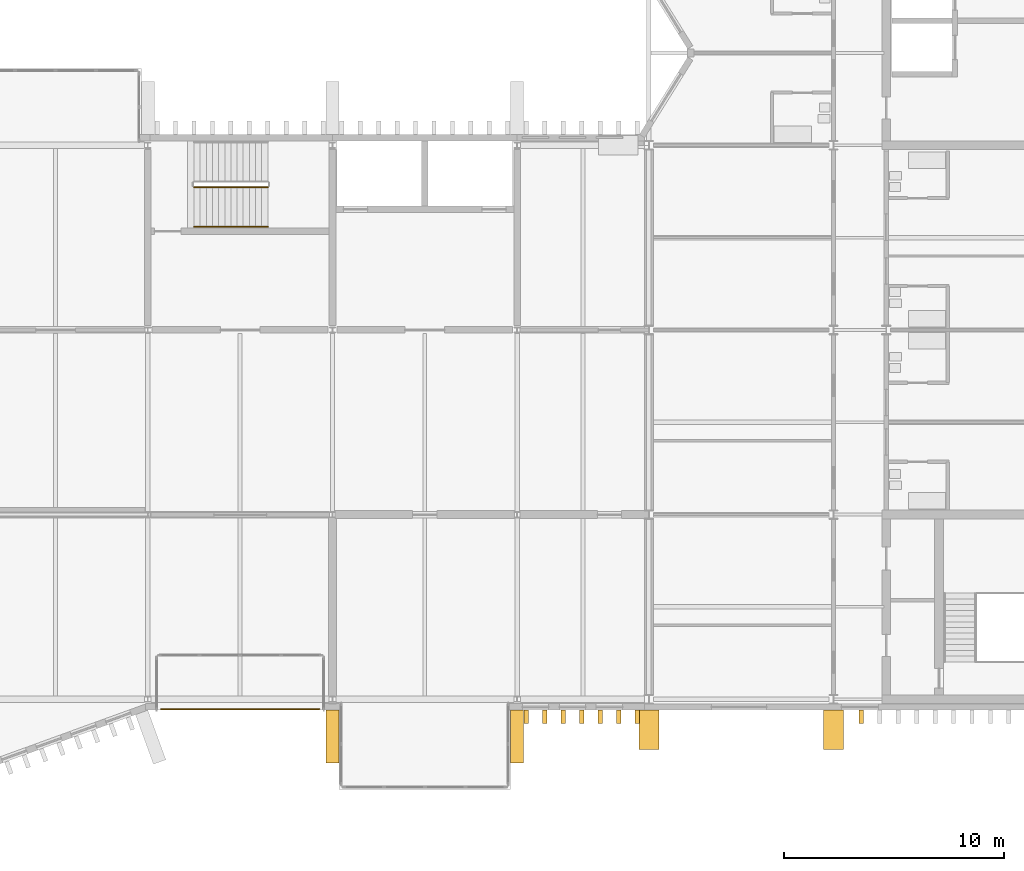
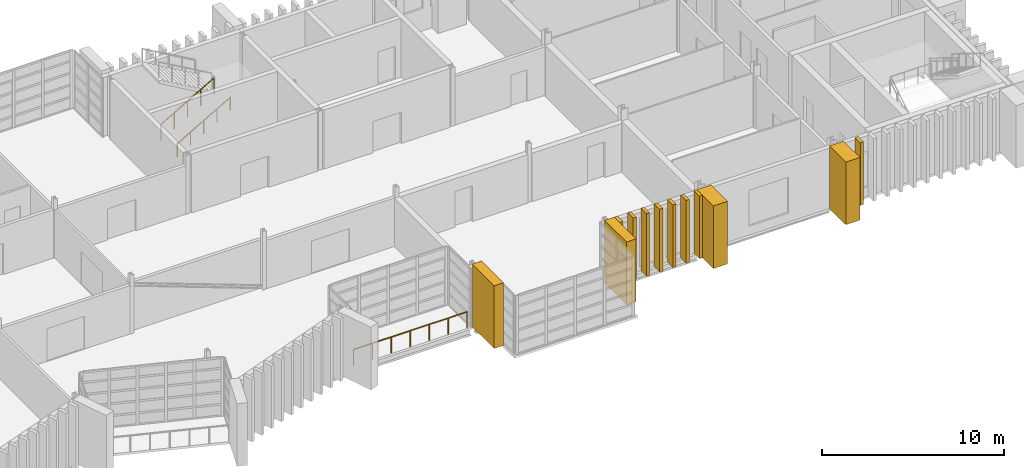
# One storey, part 85 of 88: 12 coverings, 3 railings.
"""IFC4 building model written with IfcOpenShell, lengths in metres."""

from ifc_helpers import new_model, si_unit, direction, frame, origin, origin_2d, place, context, subcontext, project, spatial, rectangle, circle, extrude, material, type_object, element, save


model = new_model("IFC4")

# Units and contexts
model_context = context("Model", 3, precision=1e-05, world=origin(), true_north=direction((0.0, 1.0)))
body_context = subcontext(model_context, "Body", "Model", "MODEL_VIEW")
ifc_project = project(units=[si_unit("LENGTHUNIT", "METRE"), si_unit("AREAUNIT", "SQUARE_METRE"), si_unit("VOLUMEUNIT", "CUBIC_METRE"), si_unit("PLANEANGLEUNIT", "RADIAN"), si_unit("MASSUNIT", "GRAM", prefix="KILO")], contexts=[model_context])

# Site, building, storey
site_placement = place(None, origin())
site = spatial("IfcSite", under=ifc_project, at=site_placement, CompositionType="ELEMENT")
building_placement = place(site_placement, origin())
building = spatial("IfcBuilding", under=site, at=building_placement, Name="Cresset Court Congress Hotel", CompositionType="ELEMENT")
storey_placement = place(building_placement, frame((0.0, 0.0, 14.39990234375)))
storey = spatial("IfcBuildingStorey", under=building, at=storey_placement, Name="L03", CompositionType="ELEMENT", Elevation=14.39990234375)

# Railings
ifc_material_1 = material(Name="Steel and laminated glass", Category="steel")
railing_type_1 = type_object("IfcRailingType", Name="Guard 1100 steel and glass", PredefinedType="GUARDRAIL", material=ifc_material_1)
railing_1_placement = place(storey_placement, frame((136.5, 23.300048828125, 0.16162109375)))
element("IfcRailing", 1, at=railing_1_placement, inside=storey, type_object=railing_type_1, Name="L03 ST-B5 stair guard 1", PredefinedType="GUARDRAIL", context=body_context, shape_type="SweptSolid", body=[
    extrude(circle(Radius=0.02392578125, at=origin_2d()), frame((0.0, 0.0, 1.076171875), z_axis=(0.866190824863, 0.0, 0.499713372768), x_axis=(0.0, 1.0, 0.0)), (0.0, 0.0, 1.0), 3.879150390625),
    extrude(circle(Radius=0.02099609375, at=origin_2d()), origin(), (0.0, 0.0, 1.0), 1.052001953125),
    extrude(circle(Radius=0.02099609375, at=origin_2d()), frame((0.840087890625, 0.0, 0.484619140625)), (0.0, 0.0, 1.0), 1.052001953125),
    extrude(circle(Radius=0.02099609375, at=origin_2d()), frame((1.68017578125, 0.0, 0.96923828125)), (0.0, 0.0, 1.0), 1.052001953125),
    extrude(circle(Radius=0.02099609375, at=origin_2d()), frame((2.52001953125, 0.0, 1.453857421875)), (0.0, 0.0, 1.0), 1.052001953125),
    extrude(circle(Radius=0.02099609375, at=origin_2d()), frame((3.360107421875, 0.0, 1.9384765625)), (0.0, 0.0, 1.0), 1.052001953125),
])
ifc_material_2 = material(Name="Steel and laminated glass", Category="steel")
railing_type_2 = type_object("IfcRailingType", Name="Guard 1100 steel and glass external", PredefinedType="GUARDRAIL", material=ifc_material_2)
railing_2_placement = place(storey_placement, frame((135.0, -0.449951171875, 0.0)))
element("IfcRailing", 2, at=railing_2_placement, inside=storey, type_object=railing_type_2, Name="Guard to recess S0320", PredefinedType="GUARDRAIL", context=body_context, shape_type="SweptSolid", body=[
    extrude(circle(Radius=0.02392578125, at=origin_2d()), frame((0.0, 0.0, 1.076171875), z_axis=(1.0, 0.0, 0.0), x_axis=(0.0, 1.0, 0.0)), (0.0, 0.0, 1.0), 7.199951171875),
    extrude(circle(Radius=0.02099609375, at=origin_2d()), origin(), (0.0, 0.0, 1.0), 1.052001953125),
    extrude(circle(Radius=0.02099609375, at=origin_2d()), frame((1.199951171875, 0.0, 0.0)), (0.0, 0.0, 1.0), 1.052001953125),
    extrude(circle(Radius=0.02099609375, at=origin_2d()), frame((2.39990234375, 0.0, 0.0)), (0.0, 0.0, 1.0), 1.052001953125),
    extrude(circle(Radius=0.02099609375, at=origin_2d()), frame((3.60009765625, 0.0, 0.0)), (0.0, 0.0, 1.0), 1.052001953125),
    extrude(circle(Radius=0.02099609375, at=origin_2d()), frame((4.800048828125, 0.0, 0.0)), (0.0, 0.0, 1.0), 1.052001953125),
    extrude(circle(Radius=0.02099609375, at=origin_2d()), frame((6.0, 0.0, 0.0)), (0.0, 0.0, 1.0), 1.052001953125),
    extrude(circle(Radius=0.02099609375, at=origin_2d()), frame((7.199951171875, 0.0, 0.0)), (0.0, 0.0, 1.0), 1.052001953125),
])
ifc_material_3 = material(Name="Stainless steel", Category="steel")
railing_type_3 = type_object("IfcRailingType", Name="Handrail 48 stainless", PredefinedType="HANDRAIL", material=ifc_material_3)
railing_3_placement = place(storey_placement, frame((136.5, 21.5, 0.16162109375)))
element("IfcRailing", 3, at=railing_3_placement, inside=storey, type_object=railing_type_3, Name="L03 ST-B5 stair handrail 1", PredefinedType="HANDRAIL", context=body_context, shape_type="SweptSolid", body=[
    extrude(circle(Radius=0.02392578125, at=origin_2d()), frame((0.0, 0.0, 0.8759765625), z_axis=(0.866190824863, 0.0, 0.499713372768), x_axis=(0.0, 1.0, 0.0)), (0.0, 0.0, 1.0), 3.879150390625),
    extrude(circle(Radius=0.02099609375, at=origin_2d()), origin(), (0.0, 0.0, 1.0), 0.851806640625),
    extrude(circle(Radius=0.02099609375, at=origin_2d()), frame((0.840087890625, 0.0, 0.484619140625)), (0.0, 0.0, 1.0), 0.851806640625),
    extrude(circle(Radius=0.02099609375, at=origin_2d()), frame((1.68017578125, 0.0, 0.96923828125)), (0.0, 0.0, 1.0), 0.851806640625),
    extrude(circle(Radius=0.02099609375, at=origin_2d()), frame((2.52001953125, 0.0, 1.453857421875)), (0.0, 0.0, 1.0), 0.851806640625),
    extrude(circle(Radius=0.02099609375, at=origin_2d()), frame((3.360107421875, 0.0, 1.9384765625)), (0.0, 0.0, 1.0), 0.851806640625),
])

# Coverings
ifc_material_4 = material(Name="Precast concrete C50", Category="concrete")
covering_type_1 = type_object("IfcCoveringType", Name="Precast stone fin 200x600", PredefinedType="CLADDING", material=ifc_material_4)
covering_placement = place(storey_placement, frame((166.860107421875, -0.800048828125, 0.0), z_axis=(0.0, 0.0, 1.0), x_axis=(1.0, 0.0, 0.0)))
element("IfcCovering", 4, at=covering_placement, inside=storey, type_object=covering_type_1, Name="Fin S012", PredefinedType="CLADDING", context=body_context, shape_type="SweptSolid", body=[
    extrude(rectangle(XDim=0.199951171875, YDim=0.60009765625, at=origin_2d()), origin(), (0.0, 0.0, 1.0), 4.199951171875),
])
ifc_material_5 = material(Name="Precast concrete C50", Category="concrete")
covering_type_2 = type_object("IfcCoveringType", Name="Precast stone fin 200x600 variant 1", PredefinedType="CLADDING", material=ifc_material_5)
for number, where, z_axis, x_axis, name in (
    (5, (151.6201171875, -0.800048828125, 0.0), (0.0, 0.0, 1.0), (1.0, 0.0, 0.0), "Fin S03-170"),
    (6, (152.4599609375, -0.800048828125, 0.0), (0.0, 0.0, 1.0), (1.0, 0.0, 0.0), "Fin S03-171"),
    (7, (153.300048828125, -0.800048828125, 0.0), (0.0, 0.0, 1.0), (1.0, 0.0, 0.0), "Fin S03-172"),
    (8, (154.139892578125, -0.800048828125, 0.0), (0.0, 0.0, 1.0), (1.0, 0.0, 0.0), "Fin S03-173"),
    (9, (154.97998046875, -0.800048828125, 0.0), (0.0, 0.0, 1.0), (1.0, 0.0, 0.0), "Fin S03-174"),
    (10, (155.820068359375, -0.800048828125, 0.0), (0.0, 0.0, 1.0), (1.0, 0.0, 0.0), "Fin S03-175"),
    (11, (156.659912109375, -0.800048828125, 0.0), (0.0, 0.0, 1.0), (1.0, 0.0, 0.0), "Fin S03-176"),
):
    element("IfcCovering", number, at=place(storey_placement, frame(where, z_axis=z_axis, x_axis=x_axis)), inside=storey, type_object=covering_type_2, Name=name, PredefinedType="CLADDING", context=body_context, shape_type="SweptSolid", body=[
        extrude(rectangle(XDim=0.199951171875, YDim=0.60009765625, at=origin_2d()), origin(), (0.0, 0.0, 1.0), 4.199951171875),
    ])
ifc_material_6 = material(Name="Precast concrete C50", Category="concrete")
covering_type_3 = type_object("IfcCoveringType", Name="Precast stone pier 600x2400", PredefinedType="CLADDING", material=ifc_material_6)
for number, where, z_axis, x_axis, name in (
    (12, (142.800048828125, -1.699951171875, 0.0), (0.0, 0.0, 1.0), (1.0, 0.0, 0.0), "Pier S03-16"),
    (13, (151.199951171875, -1.699951171875, 0.0), (0.0, 0.0, 1.0), (1.0, 0.0, 0.0), "Pier S03-17"),
):
    element("IfcCovering", number, at=place(storey_placement, frame(where, z_axis=z_axis, x_axis=x_axis)), inside=storey, type_object=covering_type_3, Name=name, PredefinedType="CLADDING", context=body_context, shape_type="SweptSolid", body=[
        extrude(rectangle(XDim=0.60009765625, YDim=2.39990234375, at=origin_2d()), origin(), (0.0, 0.0, 1.0), 4.199951171875),
    ])
ifc_material_7 = material(Name="Precast concrete C50", Category="concrete")
covering_type_4 = type_object("IfcCoveringType", Name="Precast stone pier 900x1800", PredefinedType="CLADDING", material=ifc_material_7)
for number, where, z_axis, x_axis, name in (
    (14, (157.199951171875, -1.39990234375, 0.0), (0.0, 0.0, 1.0), (1.0, 0.0, 0.0), "Pier S01"),
    (15, (165.60009765625, -1.39990234375, 0.0), (0.0, 0.0, 1.0), (1.0, 0.0, 0.0), "Pier S02"),
):
    element("IfcCovering", number, at=place(storey_placement, frame(where, z_axis=z_axis, x_axis=x_axis)), inside=storey, type_object=covering_type_4, Name=name, PredefinedType="CLADDING", context=body_context, shape_type="SweptSolid", body=[
        extrude(rectangle(XDim=0.89990234375, YDim=1.800048828125, at=origin_2d()), origin(), (0.0, 0.0, 1.0), 4.199951171875),
    ])

save(model, "model.ifc")
